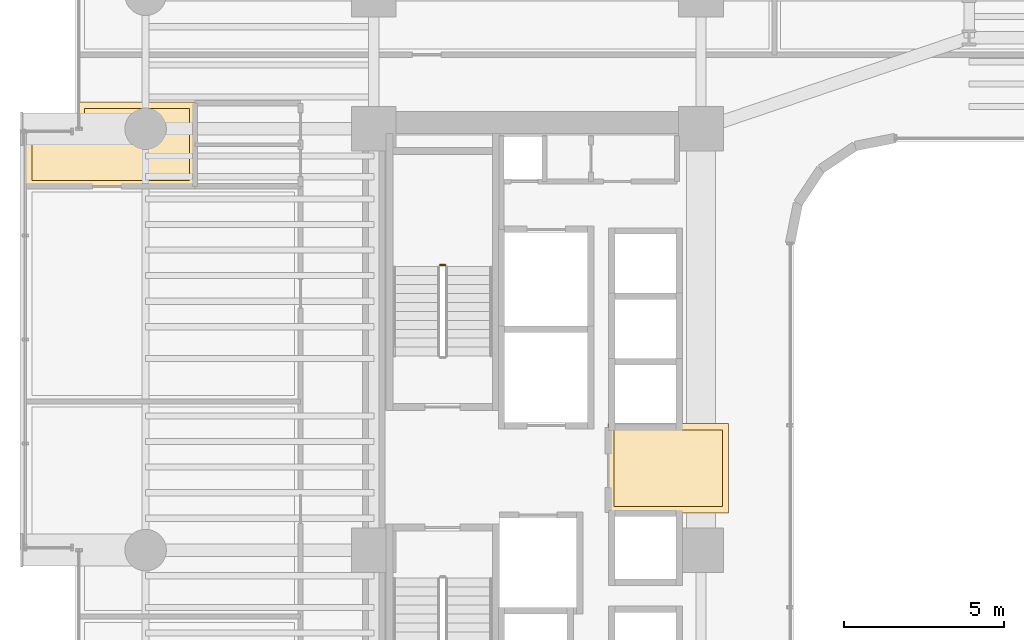
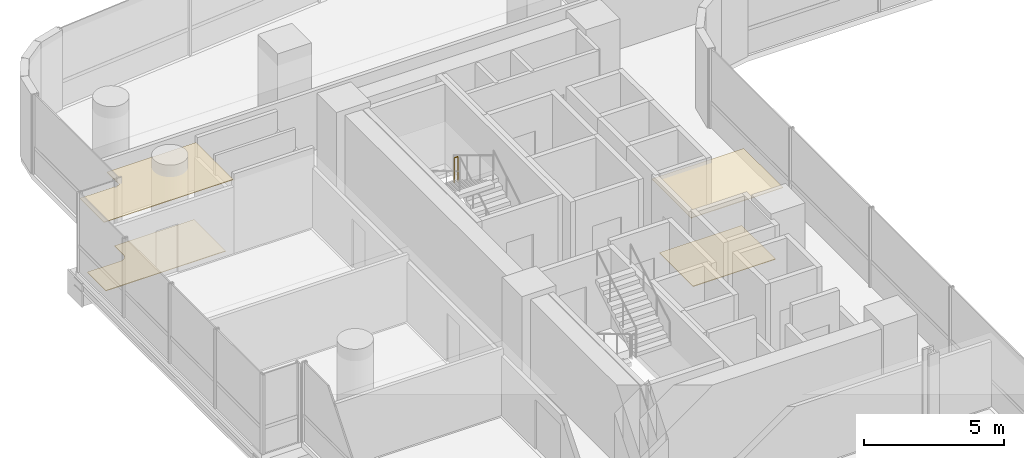
# One storey, part 36 of 39: 4 coverings, 1 railing.
"""IFC4 building model written with IfcOpenShell, lengths in metres."""

from ifc_helpers import new_model, si_unit, direction, frame, origin, origin_2d, place, context, subcontext, project, spatial, polyline, circle, outline, extrude, material, layer, layer_set, type_object, element, save


model = new_model("IFC4")

# Units and contexts
model_context = context("Model", 3, precision=1e-05, world=origin(), true_north=direction((0.0, 1.0)))
body_context = subcontext(model_context, "Body", "Model", "MODEL_VIEW")
ifc_project = project(units=[si_unit("LENGTHUNIT", "METRE"), si_unit("AREAUNIT", "SQUARE_METRE"), si_unit("VOLUMEUNIT", "CUBIC_METRE"), si_unit("PLANEANGLEUNIT", "RADIAN"), si_unit("MASSUNIT", "GRAM", prefix="KILO")], contexts=[model_context])

# Site, building, storey
site_placement = place(None, origin())
site = spatial("IfcSite", under=ifc_project, at=site_placement, CompositionType="ELEMENT")
building_placement = place(site_placement, origin())
building = spatial("IfcBuilding", under=site, at=building_placement, Name="Valdorenza Pilgrim Sanctuary Tower", CompositionType="ELEMENT")
storey_placement = place(building_placement, frame((0.0, 0.0, 74.10009765625)))
storey = spatial("IfcBuildingStorey", under=building, at=storey_placement, Name="L18", CompositionType="ELEMENT", Elevation=74.10009765625)

# Coverings
ifc_material_1 = material(Name="Micro-perforated acoustic mineral ceiling tile", Category="gypsum")
ifc_layer_1 = layer(ifc_material_1, 0.02490234375, Name="Micro-perforated acoustic mineral ceiling tile")
ifc_layer_set_1 = layer_set([ifc_layer_1], Name="Micro-perforated acoustic mineral ceiling tile")
covering_type_1 = type_object("IfcCoveringType", Name="COV-CLG-ACU", PredefinedType="CEILING", material=ifc_layer_set_1)
covering_1_placement = place(storey_placement, frame((0.0, 0.0, 3.159912109375)))
element("IfcCovering", 1, at=covering_1_placement, inside=storey, type_object=covering_type_1, Name="L18 Core A Passenger Lift Lobby Acoustic Ceiling", PredefinedType="CEILING", context=body_context, shape_type="SweptSolid", body=[
    extrude(outline(polyline([(-15.31298828125, 1.244384765625), (-15.31298828125, 1.24462890625), (-15.313720703125, 1.24609375), (-15.314208984375, 1.24755859375), (-15.314697265625, 1.2490234375), (-15.31494140625, 1.25048828125), (-15.31494140625, 1.251953125), (-15.31494140625, 1.35009765625), (-15.31494140625, 1.3515625), (-15.314697265625, 1.352783203125), (-15.314453125, 1.3544921875), (-15.31396484375, 1.355712890625), (-15.313232421875, 1.357177734375), (-15.3125, 1.3583984375), (-15.3115234375, 1.359619140625), (-15.310546875, 1.360595703125), (-15.3095703125, 1.361572265625), (-15.308349609375, 1.362548828125), (-15.30712890625, 1.36328125), (-15.3056640625, 1.364013671875), (-15.304443359375, 1.364501953125), (-15.302978515625, 1.36474609375), (-15.301513671875, 1.364990234375), (-15.300048828125, 1.364990234375), (-15.10205078125, 1.364990234375), (-15.1005859375, 1.364990234375), (-15.09912109375, 1.36474609375), (-15.097412109375, 1.3642578125), (-15.09619140625, 1.36376953125), (-15.0947265625, 1.363037109375), (-15.094482421875, 1.363037109375), (-13.185546875, 1.363037109375), (-13.185302734375, 1.363037109375), (-13.183837890625, 1.36376953125), (-13.1826171875, 1.3642578125), (-13.180908203125, 1.36474609375), (-13.179443359375, 1.364990234375), (-13.177978515625, 1.364990234375), (-11.550048828125, 1.364990234375), (-11.548583984375, 1.364990234375), (-11.547119140625, 1.36474609375), (-11.545654296875, 1.364501953125), (-11.544189453125, 1.364013671875), (-11.54296875, 1.36328125), (-11.541748046875, 1.362548828125), (-11.54052734375, 1.361572265625), (-11.539306640625, 1.360595703125), (-11.538330078125, 1.359619140625), (-11.53759765625, 1.3583984375), (-11.536865234375, 1.357177734375), (-11.5361328125, 1.355712890625), (-11.53564453125, 1.3544921875), (-11.535400390625, 1.352783203125), (-11.53515625, 1.3515625), (-11.534912109375, 1.35009765625), (-11.534912109375, -1.419921875), (-11.53515625, -1.42138671875), (-11.535400390625, -1.4228515625), (-11.53564453125, -1.42431640625), (-11.5361328125, -1.42578125), (-11.536865234375, -1.427001953125), (-11.53759765625, -1.42822265625), (-11.538330078125, -1.429443359375), (-11.539306640625, -1.4306640625), (-11.54052734375, -1.431640625), (-11.541748046875, -1.4326171875), (-11.54296875, -1.43310546875), (-11.544189453125, -1.433837890625), (-11.545654296875, -1.434326171875), (-11.547119140625, -1.434814453125), (-11.548583984375, -1.434814453125), (-11.550048828125, -1.43505859375), (-15.298095703125, -1.43505859375), (-15.299560546875, -1.434814453125), (-15.30078125, -1.434814453125), (-15.302490234375, -1.434326171875), (-15.3037109375, -1.433837890625), (-15.30517578125, -1.43310546875), (-15.306396484375, -1.4326171875), (-15.3076171875, -1.431640625), (-15.30859375, -1.4306640625), (-15.3095703125, -1.429443359375), (-15.310546875, -1.42822265625), (-15.311279296875, -1.427001953125), (-15.31201171875, -1.42578125), (-15.3125, -1.42431640625), (-15.312744140625, -1.4228515625), (-15.31298828125, -1.42138671875), (-15.31298828125, -1.419921875), (-15.31298828125, 1.244384765625)])), origin(), (0.0, 0.0, 1.0), 0.02490234375),
])
covering_2_placement = place(storey_placement, frame((0.0, 0.0, 3.159912109375)))
element("IfcCovering", 2, at=covering_2_placement, inside=storey, type_object=covering_type_1, Name="L18 Pilgrim Scholar Office L18-WN Acoustic Ceiling", PredefinedType="CEILING", context=body_context, shape_type="SweptSolid", body=[
    extrude(outline(polyline([(-28.237060546875, 11.39453125), (-28.237060546875, 10.103759765625), (-28.23681640625, 10.10302734375), (-28.23681640625, 10.1015625), (-28.23681640625, 10.10009765625), (-28.23681640625, 10.098388671875), (-28.237060546875, 10.09814453125), (-28.237060546875, 8.800048828125), (-28.237060546875, 8.798583984375), (-28.2373046875, 8.797119140625), (-28.237548828125, 8.795654296875), (-28.238037109375, 8.794189453125), (-28.23876953125, 8.79296875), (-28.239501953125, 8.791748046875), (-28.240478515625, 8.79052734375), (-28.241455078125, 8.789306640625), (-28.242431640625, 8.788330078125), (-28.24365234375, 8.78759765625), (-28.244873046875, 8.786865234375), (-28.246337890625, 8.7861328125), (-28.24755859375, 8.78564453125), (-28.2490234375, 8.785400390625), (-28.25048828125, 8.78515625), (-28.251953125, 8.784912109375), (-33.5400390625, 8.784912109375), (-33.54150390625, 8.78515625), (-33.54296875, 8.785400390625), (-33.54443359375, 8.78564453125), (-33.545654296875, 8.7861328125), (-33.547119140625, 8.786865234375), (-33.54833984375, 8.78759765625), (-33.549560546875, 8.788330078125), (-33.550537109375, 8.789306640625), (-33.551513671875, 8.79052734375), (-33.552490234375, 8.791748046875), (-33.55322265625, 8.79296875), (-33.553955078125, 8.794189453125), (-33.554443359375, 8.795654296875), (-33.5546875, 8.797119140625), (-33.554931640625, 8.798583984375), (-33.554931640625, 8.800048828125), (-33.554931640625, 10.489990234375), (-33.554931640625, 10.491455078125), (-33.5546875, 10.492919921875), (-33.554443359375, 10.494384765625), (-33.553955078125, 10.49560546875), (-33.55322265625, 10.4970703125), (-33.552490234375, 10.498291015625), (-33.551513671875, 10.49951171875), (-33.550537109375, 10.50048828125), (-33.549560546875, 10.501708984375), (-33.54833984375, 10.50244140625), (-33.547119140625, 10.503173828125), (-33.545654296875, 10.50390625), (-33.54443359375, 10.50439453125), (-33.54296875, 10.504638671875), (-33.54150390625, 10.5048828125), (-33.5400390625, 10.5048828125), (-32.00048828125, 10.5048828125), (-31.99072265625, 10.505615234375), (-31.9814453125, 10.5068359375), (-31.972412109375, 10.509033203125), (-31.963623046875, 10.51220703125), (-31.955078125, 10.51611328125), (-31.947265625, 10.52099609375), (-31.939697265625, 10.526611328125), (-31.932861328125, 10.53271484375), (-31.926513671875, 10.539794921875), (-31.9208984375, 10.547119140625), (-31.916259765625, 10.55517578125), (-31.912109375, 10.563720703125), (-31.9091796875, 10.572509765625), (-31.90673828125, 10.58154296875), (-31.905517578125, 10.5908203125), (-31.905029296875, 10.600341796875), (-31.905029296875, 11.419921875), (-31.90478515625, 11.42138671875), (-31.90478515625, 11.4228515625), (-31.904296875, 11.42431640625), (-31.90380859375, 11.42578125), (-31.9033203125, 11.427001953125), (-31.902587890625, 11.42822265625), (-31.901611328125, 11.429443359375), (-31.900634765625, 11.4306640625), (-31.8994140625, 11.431640625), (-31.898193359375, 11.4326171875), (-31.897216796875, 11.43310546875), (-31.895751953125, 11.433837890625), (-31.894287109375, 11.434326171875), (-31.892822265625, 11.434814453125), (-31.8916015625, 11.434814453125), (-31.889892578125, 11.43505859375), (-28.25, 11.43505859375), (-28.24853515625, 11.434814453125), (-28.2470703125, 11.434814453125), (-28.24560546875, 11.434326171875), (-28.244384765625, 11.433837890625), (-28.242919921875, 11.43310546875), (-28.24169921875, 11.4326171875), (-28.240478515625, 11.431640625), (-28.239501953125, 11.4306640625), (-28.23828125, 11.429443359375), (-28.237548828125, 11.42822265625), (-28.23681640625, 11.427001953125), (-28.236083984375, 11.42578125), (-28.235595703125, 11.42431640625), (-28.2353515625, 11.4228515625), (-28.235107421875, 11.42138671875), (-28.235107421875, 11.419921875), (-28.235107421875, 11.402099609375), (-28.235107421875, 11.400390625), (-28.2353515625, 11.39892578125), (-28.235595703125, 11.3974609375), (-28.236083984375, 11.39599609375), (-28.23681640625, 11.394775390625), (-28.237060546875, 11.39453125)])), origin(), (0.0, 0.0, 1.0), 0.02490234375),
])
ifc_material_2 = material(Name="Honed travertine stone flooring", Category="masonry")
ifc_layer_2 = layer(ifc_material_2, 0.030029296875, Name="Honed travertine stone flooring")
ifc_layer_set_2 = layer_set([ifc_layer_2], Name="Honed travertine stone flooring")
covering_type_2 = type_object("IfcCoveringType", Name="COV-FLR-TRV", PredefinedType="FLOORING", material=ifc_layer_set_2)
covering_3_placement = place(storey_placement, origin())
element("IfcCovering", 3, at=covering_3_placement, inside=storey, type_object=covering_type_2, Name="L18 Core A Passenger Lift Lobby Flooring", PredefinedType="FLOORING", context=body_context, shape_type="SweptSolid", body=[
    extrude(outline(polyline([(-15.117919921875, 1.169189453125), (-15.10888671875, 1.168212890625), (-15.10888671875, 1.168212890625), (-15.10009765625, 1.16796875), (-13.179931640625, 1.16796875), (-13.1796875, 1.16796875), (-11.72998046875, 1.169921875), (-11.72998046875, -1.239990234375), (-15.117919921875, -1.239990234375), (-15.117919921875, 1.169189453125)])), origin(), (0.0, 0.0, 1.0), 0.02490234375),
])
covering_4_placement = place(storey_placement, origin())
element("IfcCovering", 4, at=covering_4_placement, inside=storey, type_object=covering_type_2, Name="L18 Pilgrim Scholar Office L18-WN Flooring", PredefinedType="FLOORING", context=body_context, shape_type="SweptSolid", body=[
    extrude(outline(polyline([(-28.431884765625, 11.239990234375), (-28.431884765625, 10.10205078125), (-28.431884765625, 10.10107421875), (-28.431884765625, 10.100341796875), (-28.431884765625, 10.10009765625), (-28.431884765625, 8.97998046875), (-33.360107421875, 8.97998046875), (-33.360107421875, 10.31005859375), (-32.0, 10.31005859375), (-31.9912109375, 10.310302734375), (-31.98046875, 10.310791015625), (-31.962890625, 10.3125), (-31.9521484375, 10.314208984375), (-31.934814453125, 10.3173828125), (-31.92431640625, 10.320068359375), (-31.907470703125, 10.3251953125), (-31.897216796875, 10.328857421875), (-31.880859375, 10.335693359375), (-31.87109375, 10.34033203125), (-31.855712890625, 10.3486328125), (-31.84619140625, 10.35400390625), (-31.831787109375, 10.364013671875), (-31.822998046875, 10.370361328125), (-31.809326171875, 10.381591796875), (-31.80126953125, 10.388916015625), (-31.788818359375, 10.4013671875), (-31.781494140625, 10.4091796875), (-31.7705078125, 10.423095703125), (-31.763916015625, 10.431640625), (-31.754150390625, 10.4462890625), (-31.74853515625, 10.45556640625), (-31.740234375, 10.47119140625), (-31.735595703125, 10.48095703125), (-31.72900390625, 10.497314453125), (-31.725341796875, 10.50732421875), (-31.72021484375, 10.5244140625), (-31.717529296875, 10.534912109375), (-31.714111328125, 10.552001953125), (-31.71240234375, 10.562744140625), (-31.710693359375, 10.580322265625), (-31.710205078125, 10.59130859375), (-31.7099609375, 10.60009765625), (-31.7099609375, 11.239990234375), (-28.431884765625, 11.239990234375)])), origin(), (0.0, 0.0, 1.0), 0.02490234375),
])

# Railing
ifc_material_3 = material(Name="Stainless steel Grade 316", Category="steel")
railing_type = type_object("IfcRailingType", Name="RLG-GRD-1120", PredefinedType="GUARDRAIL", material=ifc_material_3)
railing_placement = place(storey_placement, frame((-20.419921875, 6.330078125, 1.849853515625)))
element("IfcRailing", 5, at=railing_placement, inside=storey, type_object=railing_type, Name="L18 ST-A1 stair guard 2", PredefinedType="GUARDRAIL", context=body_context, shape_type="SweptSolid", body=[
    extrude(circle(Radius=0.02392578125, at=origin_2d()), frame((0.0, 0.0, 1.076171875), z_axis=(-1.0, 0.0, 0.0), x_axis=(0.0, -1.0, 0.0)), (0.0, 0.0, 1.0), 0.150146484375),
    extrude(circle(Radius=0.02099609375, at=origin_2d()), origin(), (0.0, 0.0, 1.0), 1.052001953125),
    extrude(circle(Radius=0.02099609375, at=origin_2d()), frame((-0.150146484375, 0.0, 0.0)), (0.0, 0.0, 1.0), 1.052001953125),
])

save(model, "model.ifc")
